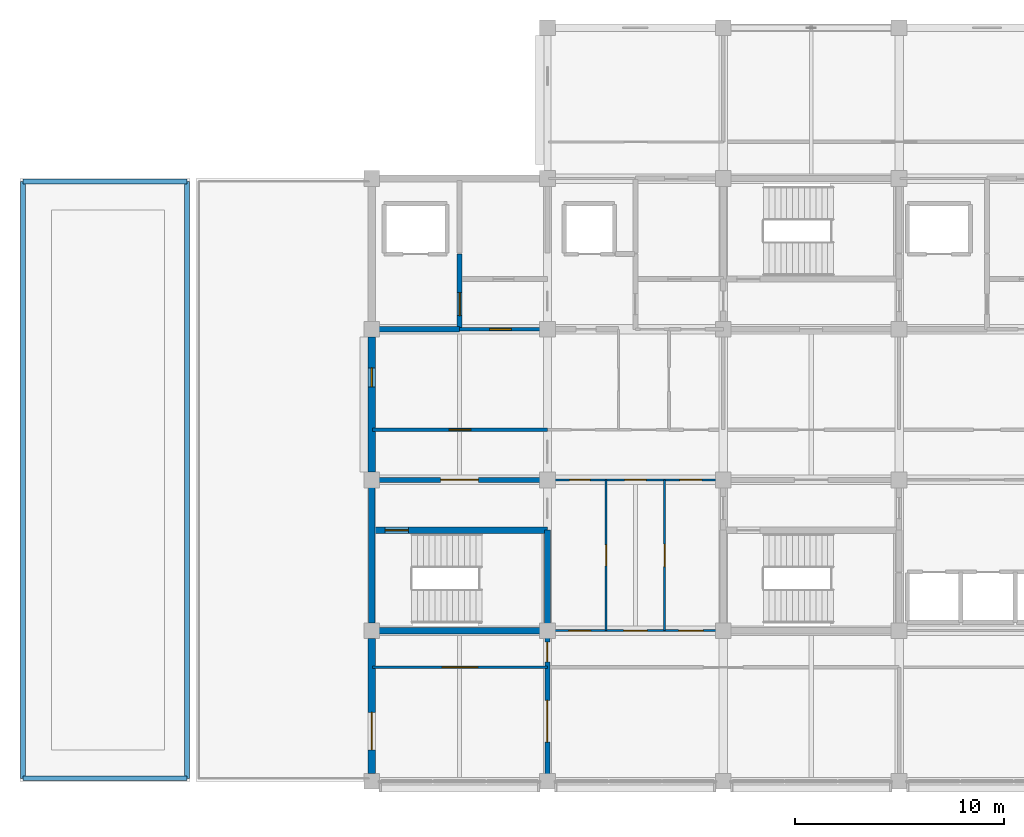
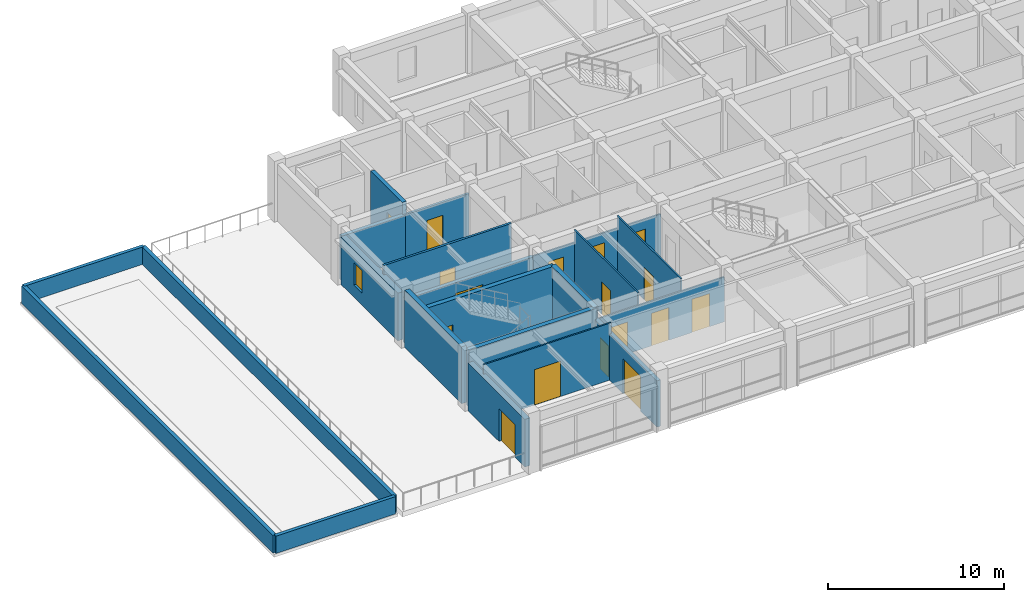
# One storey, part 14 of 27: 21 walls, 17 doors, 1 window, 18 openings.
"""IFC4 building model written with IfcOpenShell, lengths in metres."""

from ifc_helpers import new_model, si_unit, direction, frame, frame_2d, origin, place, context, subcontext, project, spatial, rectangle, extrude, material, layer, layer_set, type_object, element, fill, save


model = new_model("IFC4")

# Units and contexts
model_context = context("Model", 3, precision=1e-05, world=origin(), true_north=direction((0.0, 1.0)))
body_context = subcontext(model_context, "Body", "Model", "MODEL_VIEW")
ifc_project = project(units=[si_unit("LENGTHUNIT", "METRE"), si_unit("AREAUNIT", "SQUARE_METRE"), si_unit("VOLUMEUNIT", "CUBIC_METRE"), si_unit("PLANEANGLEUNIT", "RADIAN"), si_unit("MASSUNIT", "GRAM", prefix="KILO")], contexts=[model_context])

# Site, building, storey
site_placement = place(None, origin())
site = spatial("IfcSite", under=ifc_project, at=site_placement, CompositionType="ELEMENT")
building_placement = place(site_placement, origin())
building = spatial("IfcBuilding", under=site, at=building_placement, Name="Chengyuan Square Courthouse", CompositionType="ELEMENT")
storey_placement = place(building_placement, frame((0.0, 0.0, 35.10009765625)))
storey = spatial("IfcBuildingStorey", under=building, at=storey_placement, Name="L08", CompositionType="ELEMENT", Elevation=35.10009765625)

# Wall, opening, door
ifc_material_1 = material(Name="Concrete C40", Category="concrete")
ifc_layer_1 = layer(ifc_material_1, 0.35009765625)
ifc_layer_set_1 = layer_set([ifc_layer_1], Name="Concrete C40")
wall_type_1 = type_object("IfcWallType", Name="WL-EW2", PredefinedType="STANDARD", material=ifc_layer_set_1)
wall_1_placement = place(storey_placement, frame((42.0, 79.570068359375, 0.0), z_axis=(0.0, 0.0, 1.0), x_axis=(0.0, 1.0, 0.0)))
wall_1 = element("IfcWall", 1, at=wall_1_placement, inside=storey, type_object=wall_type_1, Name="Exterior Wall WL-L08-E395", PredefinedType="STANDARD", context=body_context, shape_type="SweptSolid", body=[
    extrude(rectangle(XDim=6.4599609375, YDim=0.35009765625, at=frame_2d((3.22998046875, 0.0))), origin(), (0.0, 0.0, 1.0), 3.2998046875),
])
opening_1_placement = place(wall_1_placement, frame((1.1298828125, 0.0, 0.0)))
opening_1 = element("IfcOpeningElement", 2, at=opening_1_placement, cuts=wall_1, Name="Opening DR-006", PredefinedType="OPENING", context=body_context, shape_type="SweptSolid", body=[
    extrude(rectangle(XDim=1.800048828125, YDim=2.25, at=frame_2d((0.89990234375, 1.125))), frame((0.0, 0.18701171875, 0.0), z_axis=(0.0, -1.0, 0.0), x_axis=(1.0, 0.0, 0.0)), (0.0, 0.0, 1.0), 0.3740234375),
])
ifc_material_2 = material(Name="Thermally Broken Aluminium Terrace Door", Category="aluminium")
door_type_1 = type_object("IfcDoorType", Name="DT-02", OperationType="DOUBLE_DOOR_SINGLE_SWING", PredefinedType="DOOR", material=ifc_material_2)
door_1_placement = place(opening_1_placement, origin())
door_1 = element("IfcDoor", 3, at=door_1_placement, inside=storey, type_object=door_type_1, Name="Planted Terrace Access Door DR-006", OperationType="DOUBLE_DOOR_SINGLE_SWING", OverallHeight=2.25, OverallWidth=1.800048828125, PredefinedType="DOOR", context=body_context, shape_type="SweptSolid", body=[
    extrude(rectangle(XDim=1.800048828125, YDim=2.25, at=frame_2d((0.89990234375, 1.125))), frame((0.0, 0.02490234375, 0.0), z_axis=(0.0, -1.0, 0.0), x_axis=(1.0, 0.0, 0.0)), (0.0, 0.0, 1.0), 0.050048828125),
])
fill(opening_1, door_1)

# Wall, opening, window
wall_2_placement = place(storey_placement, frame((42.0, 93.969970703125, 0.0), z_axis=(0.0, 0.0, 1.0), x_axis=(0.0, 1.0, 0.0)))
wall_2 = element("IfcWall", 4, at=wall_2_placement, inside=storey, type_object=wall_type_1, Name="Exterior Wall WL-L08-E397", PredefinedType="STANDARD", context=body_context, shape_type="SweptSolid", body=[
    extrude(rectangle(XDim=6.4599609375, YDim=0.35009765625, at=frame_2d((3.22998046875, 0.0))), origin(), (0.0, 0.0, 1.0), 3.2998046875),
])
opening_2_placement = place(wall_2_placement, frame((4.080078125, 0.0, 0.85009765625)))
opening_2 = element("IfcOpeningElement", 5, at=opening_2_placement, cuts=wall_2, Name="Opening WN-153", PredefinedType="OPENING", context=body_context, shape_type="SweptSolid", body=[
    extrude(rectangle(XDim=0.89990234375, YDim=1.56005859375, at=frame_2d((0.449951171875, 0.780029296875))), frame((0.0, 0.18701171875, 0.0), z_axis=(0.0, -1.0, 0.0), x_axis=(1.0, 0.0, 0.0)), (0.0, 0.0, 1.0), 0.3740234375),
])
ifc_material_3 = material(Name="Thermally Broken Aluminium Triple Low-E Window", Category="aluminium")
window_type = type_object("IfcWindowType", Name="WT-03", PartitioningType="SINGLE_PANEL", PredefinedType="WINDOW", material=ifc_material_3)
window_placement = place(opening_2_placement, origin())
window = element("IfcWindow", 6, at=window_placement, inside=storey, type_object=window_type, Name="Facade Window WN-153", OverallHeight=1.56005859375, OverallWidth=0.89990234375, PartitioningType="SINGLE_PANEL", PredefinedType="WINDOW", context=body_context, shape_type="SweptSolid", body=[
    extrude(rectangle(XDim=0.89990234375, YDim=1.56005859375, at=frame_2d((0.449951171875, 0.780029296875))), frame((0.0, 0.030029296875, 0.0), z_axis=(0.0, -1.0, 0.0), x_axis=(1.0, 0.0, 0.0)), (0.0, 0.0, 1.0), 0.06005859375),
])
fill(opening_2, window)

# Wall, opening, door
ifc_layer_2 = layer(ifc_material_1, 0.25)
ifc_layer_set_2 = layer_set([ifc_layer_2], Name="Concrete C40")
wall_type_2 = type_object("IfcWallType", Name="WL-FW1", PredefinedType="STANDARD", material=ifc_layer_set_2)
wall_3_placement = place(storey_placement, frame((42.0400390625, 93.60009765625, 0.0), z_axis=(0.0, 0.0, 1.0), x_axis=(1.0, 0.0, 0.0)))
wall_3 = element("IfcWall", 7, at=wall_3_placement, inside=storey, type_object=wall_type_2, Name="Interior Wall WL-L08-I2901", PredefinedType="STANDARD", context=body_context, shape_type="SweptSolid", body=[
    extrude(rectangle(XDim=8.35986328125, YDim=0.25, at=frame_2d((4.179931640625, 0.0))), origin(), (0.0, 0.0, 1.0), 3.099853515625),
])
opening_3_placement = place(wall_3_placement, frame((3.260009765625, 0.0, 0.0)))
opening_3 = element("IfcOpeningElement", 8, at=opening_3_placement, cuts=wall_3, Name="Opening DR-2513", PredefinedType="OPENING", context=body_context, shape_type="SweptSolid", body=[
    extrude(rectangle(XDim=1.800048828125, YDim=2.35009765625, at=frame_2d((0.89990234375, 1.175048828125))), frame((0.0, 0.136962890625, 0.0), z_axis=(0.0, -1.0, 0.0), x_axis=(1.0, 0.0, 0.0)), (0.0, 0.0, 1.0), 0.27392578125),
])
ifc_material_4 = material(Name="Steel Q235B Glazed Fire Door", Category="steel")
door_type_2 = type_object("IfcDoorType", Name="DT-18", OperationType="DOUBLE_DOOR_SINGLE_SWING", PredefinedType="DOOR", material=ifc_material_4)
door_2_placement = place(opening_3_placement, frame((1.800048828125, 0.0, 0.0), z_axis=(0.0, 0.0, 1.0), x_axis=(-1.0, 0.0, 0.0)))
door_2 = element("IfcDoor", 9, at=door_2_placement, inside=storey, type_object=door_type_2, Name="Interior Door DR-2513", OperationType="DOUBLE_DOOR_SINGLE_SWING", OverallHeight=2.35009765625, OverallWidth=1.800048828125, PredefinedType="DOOR", context=body_context, shape_type="SweptSolid", body=[
    extrude(rectangle(XDim=1.800048828125, YDim=2.35009765625, at=frame_2d((0.89990234375, 1.175048828125))), frame((0.0, 0.02490234375, 0.0), z_axis=(0.0, -1.0, 0.0), x_axis=(1.0, 0.0, 0.0)), (0.0, 0.0, 1.0), 0.050048828125),
])
fill(opening_3, door_2)

# Wall
wall_4_placement = place(storey_placement, frame((42.0400390625, 100.800048828125, 0.0), z_axis=(0.0, 0.0, 1.0), x_axis=(1.0, 0.0, 0.0)))
element("IfcWall", 10, at=wall_4_placement, inside=storey, type_object=wall_type_2, Name="Interior Wall WL-L08-I2915", PredefinedType="STANDARD", context=body_context, shape_type="SweptSolid", body=[
    extrude(rectangle(XDim=4.159912109375, YDim=0.25, at=frame_2d((2.080078125, 0.0))), origin(), (0.0, 0.0, 1.0), 3.099853515625),
])

# Wall, opening, door
wall_5_placement = place(storey_placement, frame((46.199951171875, 100.800048828125, 0.0), z_axis=(0.0, 0.0, 1.0), x_axis=(0.0, 1.0, 0.0)))
wall_5 = element("IfcWall", 11, at=wall_5_placement, inside=storey, type_object=wall_type_2, Name="Interior Wall WL-L08-I2980", PredefinedType="STANDARD", context=body_context, shape_type="SweptSolid", body=[
    extrude(rectangle(XDim=3.599853515625, YDim=0.25, at=frame_2d((1.7998046875, 0.0))), origin(), (0.0, 0.0, 1.0), 3.949951171875),
])
opening_4_placement = place(wall_5_placement, frame((0.64990234375, 0.0, 0.0)))
opening_4 = element("IfcOpeningElement", 12, at=opening_4_placement, cuts=wall_5, Name="Opening DR-2527", PredefinedType="OPENING", context=body_context, shape_type="SweptSolid", body=[
    extrude(rectangle(XDim=1.10009765625, YDim=2.199951171875, at=frame_2d((0.550048828125, 1.10009765625))), frame((0.0, 0.136962890625, 0.0), z_axis=(0.0, -1.0, 0.0), x_axis=(1.0, 0.0, 0.0)), (0.0, 0.0, 1.0), 0.27392578125),
])
ifc_material_5 = material(Name="Steel Q235B Fire Door", Category="steel")
door_type_3 = type_object("IfcDoorType", Name="DT-10", OperationType="NOTDEFINED", PredefinedType="DOOR", material=ifc_material_5)
door_3_placement = place(opening_4_placement, origin())
door_3 = element("IfcDoor", 13, at=door_3_placement, inside=storey, type_object=door_type_3, Name="Interior Door DR-2527", OperationType="SINGLE_SWING_LEFT", OverallHeight=2.199951171875, OverallWidth=1.10009765625, PredefinedType="DOOR", context=body_context, shape_type="SweptSolid", body=[
    extrude(rectangle(XDim=1.10009765625, YDim=2.199951171875, at=frame_2d((0.550048828125, 1.10009765625))), frame((0.0, 0.02490234375, 0.0), z_axis=(0.0, -1.0, 0.0), x_axis=(1.0, 0.0, 0.0)), (0.0, 0.0, 1.0), 0.050048828125),
])
fill(opening_4, door_3)

# Wall, openings, doors
wall_6_placement = place(storey_placement, frame((50.39990234375, 79.239990234375, 0.0), z_axis=(0.0, 0.0, 1.0), x_axis=(0.0, 1.0, 0.0)))
wall_6 = element("IfcWall", 14, at=wall_6_placement, inside=storey, type_object=wall_type_2, Name="Interior Wall WL-L08-I2982", PredefinedType="STANDARD", context=body_context, shape_type="SweptSolid", body=[
    extrude(rectangle(XDim=7.159912109375, YDim=0.25, at=frame_2d((3.580078125, 0.0))), origin(), (0.0, 0.0, 1.0), 3.199951171875),
])
opening_5_placement = place(wall_6_placement, frame((5.66259765625, 0.0, 0.0)))
opening_5 = element("IfcOpeningElement", 15, at=opening_5_placement, cuts=wall_6, Name="Opening DR-2622", PredefinedType="OPENING", context=body_context, shape_type="SweptSolid", body=[
    extrude(rectangle(XDim=0.949951171875, YDim=2.14990234375, at=frame_2d((0.47509765625, 1.074951171875))), frame((0.0, 0.136962890625, 0.0), z_axis=(0.0, -1.0, 0.0), x_axis=(1.0, 0.0, 0.0)), (0.0, 0.0, 1.0), 0.27392578125),
])
opening_6_placement = place(wall_6_placement, frame((1.83251953125, 0.0, 0.0)))
opening_6 = element("IfcOpeningElement", 16, at=opening_6_placement, cuts=wall_6, Name="Opening DR-2631", PredefinedType="OPENING", context=body_context, shape_type="SweptSolid", body=[
    extrude(rectangle(XDim=2.0, YDim=2.39990234375, at=frame_2d((1.0, 1.199951171875))), frame((0.0, 0.136962890625, 0.0), z_axis=(0.0, -1.0, 0.0), x_axis=(1.0, 0.0, 0.0)), (0.0, 0.0, 1.0), 0.27392578125),
])
door_type_4 = type_object("IfcDoorType", Name="DT-12", OperationType="NOTDEFINED", PredefinedType="DOOR", material=ifc_material_5)
door_4_placement = place(opening_5_placement, origin())
door_4 = element("IfcDoor", 17, at=door_4_placement, inside=storey, type_object=door_type_4, Name="Interior Door DR-2622", OperationType="SINGLE_SWING_LEFT", OverallHeight=2.14990234375, OverallWidth=0.949951171875, PredefinedType="DOOR", context=body_context, shape_type="SweptSolid", body=[
    extrude(rectangle(XDim=0.949951171875, YDim=2.14990234375, at=frame_2d((0.47509765625, 1.074951171875))), frame((0.0, 0.02490234375, 0.0), z_axis=(0.0, -1.0, 0.0), x_axis=(1.0, 0.0, 0.0)), (0.0, 0.0, 1.0), 0.050048828125),
])
fill(opening_5, door_4)
door_type_5 = type_object("IfcDoorType", Name="DT-20", OperationType="DOUBLE_DOOR_SINGLE_SWING", PredefinedType="DOOR", material=ifc_material_4)
door_5_placement = place(opening_6_placement, frame((2.0, 0.0, 0.0), z_axis=(0.0, 0.0, 1.0), x_axis=(-1.0, 0.0, 0.0)))
door_5 = element("IfcDoor", 18, at=door_5_placement, inside=storey, type_object=door_type_5, Name="Interior Door DR-2631", OperationType="DOUBLE_DOOR_SINGLE_SWING", OverallHeight=2.39990234375, OverallWidth=2.0, PredefinedType="DOOR", context=body_context, shape_type="SweptSolid", body=[
    extrude(rectangle(XDim=2.0, YDim=2.39990234375, at=frame_2d((1.0, 1.199951171875))), frame((0.0, 0.02490234375, 0.0), z_axis=(0.0, -1.0, 0.0), x_axis=(1.0, 0.0, 0.0)), (0.0, 0.0, 1.0), 0.050048828125),
])
fill(opening_6, door_5)

# Walls
ifc_layer_3 = layer(ifc_material_1, 0.219970703125)
ifc_layer_set_3 = layer_set([ifc_layer_3], Name="Concrete C40")
wall_type_3 = type_object("IfcWallType", Name="WL-PR1", PredefinedType="PARAPET", material=ifc_layer_set_3)
for number, where, z_axis, x_axis, name in (
    (19, (25.340087890625, 79.340087890625, 0.0), (0.0, 0.0, 1.0), (1.0, 0.0, 0.0), "Roof Parapet Wall PAR-L08-023"),
    (20, (33.179931640625, 107.860107421875, 0.0), (0.0, 0.0, 1.0), (-1.0, 0.0, 0.0), "Roof Parapet Wall PAR-L08-025"),
):
    element("IfcWall", number, at=place(storey_placement, frame(where, z_axis=z_axis, x_axis=x_axis)), inside=storey, type_object=wall_type_3, Name=name, PredefinedType="PARAPET", context=body_context, shape_type="SweptSolid", body=[
        extrude(rectangle(XDim=7.83984375, YDim=0.219970703125, at=frame_2d((3.919921875, 0.0))), origin(), (0.0, 0.0, 1.0), 1.199951171875),
    ])
ifc_layer_4 = layer(ifc_material_1, 0.239990234375)
ifc_layer_set_4 = layer_set([ifc_layer_4], Name="Concrete C40")
wall_type_4 = type_object("IfcWallType", Name="WL-PR2", PredefinedType="PARAPET", material=ifc_layer_set_4)
for number, where, z_axis, x_axis, name in (
    (21, (33.179931640625, 79.340087890625, 0.0), (0.0, 0.0, 1.0), (0.0, 1.0, 0.0), "Roof Parapet Wall PAR-L08-024"),
    (22, (25.340087890625, 107.860107421875, 0.0), (0.0, 0.0, 1.0), (0.0, -1.0, 0.0), "Roof Parapet Wall PAR-L08-026"),
):
    element("IfcWall", number, at=place(storey_placement, frame(where, z_axis=z_axis, x_axis=x_axis)), inside=storey, type_object=wall_type_4, Name=name, PredefinedType="PARAPET", context=body_context, shape_type="SweptSolid", body=[
        extrude(rectangle(XDim=28.52001953125, YDim=0.239990234375, at=frame_2d((14.260009765625, 0.0))), origin(), (0.0, 0.0, 1.0), 1.199951171875),
    ])

# Wall, opening, door
ifc_material_6 = material(Name="Deliberation Room Sound-Insulated Partition")
ifc_layer_5 = layer(ifc_material_6, 0.14990234375)
ifc_layer_set_5 = layer_set([ifc_layer_5], Name="Deliberation Room Sound-Insulated Partition")
wall_type_5 = type_object("IfcWallType", Name="WL-PT3", PredefinedType="STANDARD", material=ifc_layer_set_5)
wall_7_placement = place(storey_placement, frame((42.0400390625, 96.0, 0.0), z_axis=(0.0, 0.0, 1.0), x_axis=(1.0, 0.0, 0.0)))
wall_7 = element("IfcWall", 23, at=wall_7_placement, inside=storey, type_object=wall_type_5, Name="Interior Wall WL-L08-I2908", PredefinedType="STANDARD", context=body_context, shape_type="SweptSolid", body=[
    extrude(rectangle(XDim=8.35986328125, YDim=0.14990234375, at=frame_2d((4.179931640625, 0.0))), origin(), (0.0, 0.0, 1.0), 3.949951171875),
])
opening_7_placement = place(wall_7_placement, frame((3.659912109375, 0.0, 0.0)))
opening_7 = element("IfcOpeningElement", 24, at=opening_7_placement, cuts=wall_7, Name="Opening DR-2564", PredefinedType="OPENING", context=body_context, shape_type="SweptSolid", body=[
    extrude(rectangle(XDim=1.0400390625, YDim=2.199951171875, at=frame_2d((0.52001953125, 1.10009765625))), frame((0.0, 0.0869140625, 0.0), z_axis=(0.0, -1.0, 0.0), x_axis=(1.0, 0.0, 0.0)), (0.0, 0.0, 1.0), 0.173828125),
])
ifc_material_7 = material(Name="Acoustic Solid-Core Timber Door", Category="wood")
door_type_6 = type_object("IfcDoorType", Name="DT-32", OperationType="NOTDEFINED", PredefinedType="DOOR", material=ifc_material_7)
door_6_placement = place(opening_7_placement, origin())
door_6 = element("IfcDoor", 25, at=door_6_placement, inside=storey, type_object=door_type_6, Name="Interior Door DR-2564", OperationType="SINGLE_SWING_RIGHT", OverallHeight=2.199951171875, OverallWidth=1.0400390625, PredefinedType="DOOR", context=body_context, shape_type="SweptSolid", body=[
    extrude(rectangle(XDim=1.0400390625, YDim=2.199951171875, at=frame_2d((0.52001953125, 1.10009765625))), frame((0.0, 0.02490234375, 0.0), z_axis=(0.0, -1.0, 0.0), x_axis=(1.0, 0.0, 0.0)), (0.0, 0.0, 1.0), 0.050048828125),
])
fill(opening_7, door_6)

wall_8_placement = place(storey_placement, frame((46.199951171875, 100.800048828125, 0.0), z_axis=(0.0, 0.0, 1.0), x_axis=(1.0, 0.0, 0.0)))
wall_8 = element("IfcWall", 26, at=wall_8_placement, inside=storey, type_object=wall_type_5, Name="Interior Wall WL-L08-I2916", PredefinedType="STANDARD", context=body_context, shape_type="SweptSolid", body=[
    extrude(rectangle(XDim=4.199951171875, YDim=0.14990234375, at=frame_2d((2.10009765625, 0.0))), origin(), (0.0, 0.0, 1.0), 3.099853515625),
])
opening_8_placement = place(wall_8_placement, frame((1.4326171875, 0.0, 0.0)))
opening_8 = element("IfcOpeningElement", 27, at=opening_8_placement, cuts=wall_8, Name="Opening DR-2530", PredefinedType="OPENING", context=body_context, shape_type="SweptSolid", body=[
    extrude(rectangle(XDim=1.0400390625, YDim=2.199951171875, at=frame_2d((0.52001953125, 1.10009765625))), frame((0.0, 0.0869140625, 0.0), z_axis=(0.0, -1.0, 0.0), x_axis=(1.0, 0.0, 0.0)), (0.0, 0.0, 1.0), 0.173828125),
])
door_7_placement = place(opening_8_placement, origin())
door_7 = element("IfcDoor", 28, at=door_7_placement, inside=storey, type_object=door_type_6, Name="Interior Door DR-2530", OperationType="SINGLE_SWING_RIGHT", OverallHeight=2.199951171875, OverallWidth=1.0400390625, PredefinedType="DOOR", context=body_context, shape_type="SweptSolid", body=[
    extrude(rectangle(XDim=1.0400390625, YDim=2.199951171875, at=frame_2d((0.52001953125, 1.10009765625))), frame((0.0, 0.02490234375, 0.0), z_axis=(0.0, -1.0, 0.0), x_axis=(1.0, 0.0, 0.0)), (0.0, 0.0, 1.0), 0.050048828125),
])
fill(opening_8, door_7)

ifc_material_8 = material(Name="Gypsum Plasterboard Acoustic Stud Partition")
ifc_layer_6 = layer(ifc_material_8, 0.10009765625)
ifc_layer_set_6 = layer_set([ifc_layer_6], Name="Gypsum Plasterboard Acoustic Stud Partition")
wall_type_6 = type_object("IfcWallType", Name="WL-PT6", PredefinedType="STANDARD", material=ifc_layer_set_6)
wall_9_placement = place(storey_placement, frame((42.0400390625, 84.64990234375, 0.0), z_axis=(0.0, 0.0, 1.0), x_axis=(1.0, 0.0, 0.0)))
wall_9 = element("IfcWall", 29, at=wall_9_placement, inside=storey, type_object=wall_type_6, Name="Interior Wall WL-L08-I2873", PredefinedType="STANDARD", context=body_context, shape_type="SweptSolid", body=[
    extrude(rectangle(XDim=8.35986328125, YDim=0.10009765625, at=frame_2d((4.179931640625, 0.0))), origin(), (0.0, 0.0, 1.0), 3.949951171875),
])
opening_9_placement = place(wall_9_placement, frame((3.330078125, 0.0, 0.0)))
opening_9 = element("IfcOpeningElement", 30, at=opening_9_placement, cuts=wall_9, Name="Opening DR-2623", PredefinedType="OPENING", context=body_context, shape_type="SweptSolid", body=[
    extrude(rectangle(XDim=1.699951171875, YDim=2.449951171875, at=frame_2d((0.85009765625, 1.22509765625))), frame((0.0, 0.06201171875, 0.0), z_axis=(0.0, -1.0, 0.0), x_axis=(1.0, 0.0, 0.0)), (0.0, 0.0, 1.0), 0.1240234375),
])
ifc_material_9 = material(Name="Acoustic Larch Veneer Double Door")
door_type_7 = type_object("IfcDoorType", Name="DT-24", OperationType="DOUBLE_DOOR_SINGLE_SWING", PredefinedType="DOOR", material=ifc_material_9)
door_8_placement = place(opening_9_placement, frame((1.699951171875, 0.0, 0.0), z_axis=(0.0, 0.0, 1.0), x_axis=(-1.0, 0.0, 0.0)))
door_8 = element("IfcDoor", 31, at=door_8_placement, inside=storey, type_object=door_type_7, Name="Interior Door DR-2623", OperationType="DOUBLE_DOOR_SINGLE_SWING", OverallHeight=2.449951171875, OverallWidth=1.699951171875, PredefinedType="DOOR", context=body_context, shape_type="SweptSolid", body=[
    extrude(rectangle(XDim=1.699951171875, YDim=2.449951171875, at=frame_2d((0.85009765625, 1.22509765625))), frame((0.0, 0.02490234375, 0.0), z_axis=(0.0, -1.0, 0.0), x_axis=(1.0, 0.0, 0.0)), (0.0, 0.0, 1.0), 0.050048828125),
])
fill(opening_9, door_8)

# Wall, openings, doors
wall_10_placement = place(storey_placement, frame((50.39990234375, 86.39990234375, 0.0), z_axis=(0.0, 0.0, 1.0), x_axis=(1.0, 0.0, 0.0)))
wall_10 = element("IfcWall", 32, at=wall_10_placement, inside=storey, type_object=wall_type_6, Name="Interior Wall WL-L08-I2879", PredefinedType="STANDARD", context=body_context, shape_type="SweptSolid", body=[
    extrude(rectangle(XDim=8.400146484375, YDim=0.10009765625, at=frame_2d((4.2001953125, 0.0))), origin(), (0.0, 0.0, 1.0), 3.099853515625),
])
opening_10_placement = place(wall_10_placement, frame((1.027587890625, 0.0, 0.0)))
opening_10 = element("IfcOpeningElement", 33, at=opening_10_placement, cuts=wall_10, Name="Opening DR-2598", PredefinedType="OPENING", context=body_context, shape_type="SweptSolid", body=[
    extrude(rectangle(XDim=1.0400390625, YDim=2.199951171875, at=frame_2d((0.52001953125, 1.10009765625))), frame((0.0, 0.06201171875, 0.0), z_axis=(0.0, -1.0, 0.0), x_axis=(1.0, 0.0, 0.0)), (0.0, 0.0, 1.0), 0.1240234375),
])
opening_11_placement = place(wall_10_placement, frame((3.639892578125, 0.0, 0.0)))
opening_11 = element("IfcOpeningElement", 34, at=opening_11_placement, cuts=wall_10, Name="Opening DR-2600", PredefinedType="OPENING", context=body_context, shape_type="SweptSolid", body=[
    extrude(rectangle(XDim=1.1201171875, YDim=2.25, at=frame_2d((0.56005859375, 1.125))), frame((0.0, 0.06201171875, 0.0), z_axis=(0.0, -1.0, 0.0), x_axis=(1.0, 0.0, 0.0)), (0.0, 0.0, 1.0), 0.1240234375),
])
opening_12_placement = place(wall_10_placement, frame((6.2724609375, 0.0, 0.0)))
opening_12 = element("IfcOpeningElement", 35, at=opening_12_placement, cuts=wall_10, Name="Opening DR-2601", PredefinedType="OPENING", context=body_context, shape_type="SweptSolid", body=[
    extrude(rectangle(XDim=1.159912109375, YDim=2.300048828125, at=frame_2d((0.580078125, 1.14990234375))), frame((0.0, 0.06201171875, 0.0), z_axis=(0.0, -1.0, 0.0), x_axis=(1.0, 0.0, 0.0)), (0.0, 0.0, 1.0), 0.1240234375),
])
door_9_placement = place(opening_10_placement, origin())
door_9 = element("IfcDoor", 36, at=door_9_placement, inside=storey, type_object=door_type_6, Name="Interior Door DR-2598", OperationType="SINGLE_SWING_RIGHT", OverallHeight=2.199951171875, OverallWidth=1.0400390625, PredefinedType="DOOR", context=body_context, shape_type="SweptSolid", body=[
    extrude(rectangle(XDim=1.0400390625, YDim=2.199951171875, at=frame_2d((0.52001953125, 1.10009765625))), frame((0.0, 0.02490234375, 0.0), z_axis=(0.0, -1.0, 0.0), x_axis=(1.0, 0.0, 0.0)), (0.0, 0.0, 1.0), 0.050048828125),
])
fill(opening_10, door_9)
door_type_8 = type_object("IfcDoorType", Name="DT-34", OperationType="NOTDEFINED", PredefinedType="DOOR", material=ifc_material_7)
door_10_placement = place(opening_11_placement, origin())
door_10 = element("IfcDoor", 37, at=door_10_placement, inside=storey, type_object=door_type_8, Name="Interior Door DR-2600", OperationType="SINGLE_SWING_RIGHT", OverallHeight=2.25, OverallWidth=1.1201171875, PredefinedType="DOOR", context=body_context, shape_type="SweptSolid", body=[
    extrude(rectangle(XDim=1.1201171875, YDim=2.25, at=frame_2d((0.56005859375, 1.125))), frame((0.0, 0.02490234375, 0.0), z_axis=(0.0, -1.0, 0.0), x_axis=(1.0, 0.0, 0.0)), (0.0, 0.0, 1.0), 0.050048828125),
])
fill(opening_11, door_10)
door_type_9 = type_object("IfcDoorType", Name="DT-35", OperationType="NOTDEFINED", PredefinedType="DOOR", material=ifc_material_7)
door_11_placement = place(opening_12_placement, origin())
door_11 = element("IfcDoor", 38, at=door_11_placement, inside=storey, type_object=door_type_9, Name="Interior Door DR-2601", OperationType="SINGLE_SWING_LEFT", OverallHeight=2.300048828125, OverallWidth=1.159912109375, PredefinedType="DOOR", context=body_context, shape_type="SweptSolid", body=[
    extrude(rectangle(XDim=1.159912109375, YDim=2.300048828125, at=frame_2d((0.580078125, 1.14990234375))), frame((0.0, 0.02490234375, 0.0), z_axis=(0.0, -1.0, 0.0), x_axis=(1.0, 0.0, 0.0)), (0.0, 0.0, 1.0), 0.050048828125),
])
fill(opening_12, door_11)

wall_11_placement = place(storey_placement, frame((50.39990234375, 93.60009765625, 0.0), z_axis=(0.0, 0.0, 1.0), x_axis=(1.0, 0.0, 0.0)))
wall_11 = element("IfcWall", 39, at=wall_11_placement, inside=storey, type_object=wall_type_6, Name="Interior Wall WL-L08-I2902", PredefinedType="STANDARD", context=body_context, shape_type="SweptSolid", body=[
    extrude(rectangle(XDim=8.400146484375, YDim=0.10009765625, at=frame_2d((4.2001953125, 0.0))), origin(), (0.0, 0.0, 1.0), 3.099853515625),
])
opening_13_placement = place(wall_11_placement, frame((1.0576171875, 0.0, 0.0)))
opening_13 = element("IfcOpeningElement", 40, at=opening_13_placement, cuts=wall_11, Name="Opening DR-2572", PredefinedType="OPENING", context=body_context, shape_type="SweptSolid", body=[
    extrude(rectangle(XDim=0.97998046875, YDim=2.35009765625, at=frame_2d((0.489990234375, 1.175048828125))), frame((0.0, 0.06201171875, 0.0), z_axis=(0.0, -1.0, 0.0), x_axis=(1.0, 0.0, 0.0)), (0.0, 0.0, 1.0), 0.1240234375),
])
opening_14_placement = place(wall_11_placement, frame((3.68994140625, 0.0, 0.0)))
opening_14 = element("IfcOpeningElement", 41, at=opening_14_placement, cuts=wall_11, Name="Opening DR-2573", PredefinedType="OPENING", context=body_context, shape_type="SweptSolid", body=[
    extrude(rectangle(XDim=1.02001953125, YDim=2.39990234375, at=frame_2d((0.510009765625, 1.199951171875))), frame((0.0, 0.06201171875, 0.0), z_axis=(0.0, -1.0, 0.0), x_axis=(1.0, 0.0, 0.0)), (0.0, 0.0, 1.0), 0.1240234375),
])
opening_15_placement = place(wall_11_placement, frame((6.322509765625, 0.0, 0.0)))
opening_15 = element("IfcOpeningElement", 42, at=opening_15_placement, cuts=wall_11, Name="Opening DR-2574", PredefinedType="OPENING", context=body_context, shape_type="SweptSolid", body=[
    extrude(rectangle(XDim=1.06005859375, YDim=2.39990234375, at=frame_2d((0.530029296875, 1.199951171875))), frame((0.0, 0.06201171875, 0.0), z_axis=(0.0, -1.0, 0.0), x_axis=(1.0, 0.0, 0.0)), (0.0, 0.0, 1.0), 0.1240234375),
])
door_type_10 = type_object("IfcDoorType", Name="DT-40", OperationType="NOTDEFINED", PredefinedType="DOOR", material=ifc_material_7)
door_12_placement = place(opening_13_placement, origin())
door_12 = element("IfcDoor", 43, at=door_12_placement, inside=storey, type_object=door_type_10, Name="Interior Door DR-2572", OperationType="SINGLE_SWING_RIGHT", OverallHeight=2.35009765625, OverallWidth=0.97998046875, PredefinedType="DOOR", context=body_context, shape_type="SweptSolid", body=[
    extrude(rectangle(XDim=0.97998046875, YDim=2.35009765625, at=frame_2d((0.489990234375, 1.175048828125))), frame((0.0, 0.02490234375, 0.0), z_axis=(0.0, -1.0, 0.0), x_axis=(1.0, 0.0, 0.0)), (0.0, 0.0, 1.0), 0.050048828125),
])
fill(opening_13, door_12)
door_type_11 = type_object("IfcDoorType", Name="DT-41", OperationType="NOTDEFINED", PredefinedType="DOOR", material=ifc_material_7)
door_13_placement = place(opening_14_placement, origin())
door_13 = element("IfcDoor", 44, at=door_13_placement, inside=storey, type_object=door_type_11, Name="Interior Door DR-2573", OperationType="SINGLE_SWING_LEFT", OverallHeight=2.39990234375, OverallWidth=1.02001953125, PredefinedType="DOOR", context=body_context, shape_type="SweptSolid", body=[
    extrude(rectangle(XDim=1.02001953125, YDim=2.39990234375, at=frame_2d((0.510009765625, 1.199951171875))), frame((0.0, 0.02490234375, 0.0), z_axis=(0.0, -1.0, 0.0), x_axis=(1.0, 0.0, 0.0)), (0.0, 0.0, 1.0), 0.050048828125),
])
fill(opening_14, door_13)
door_type_12 = type_object("IfcDoorType", Name="DT-42", OperationType="NOTDEFINED", PredefinedType="DOOR", material=ifc_material_7)
door_14_placement = place(opening_15_placement, origin())
door_14 = element("IfcDoor", 45, at=door_14_placement, inside=storey, type_object=door_type_12, Name="Interior Door DR-2574", OperationType="SINGLE_SWING_RIGHT", OverallHeight=2.39990234375, OverallWidth=1.06005859375, PredefinedType="DOOR", context=body_context, shape_type="SweptSolid", body=[
    extrude(rectangle(XDim=1.06005859375, YDim=2.39990234375, at=frame_2d((0.530029296875, 1.199951171875))), frame((0.0, 0.02490234375, 0.0), z_axis=(0.0, -1.0, 0.0), x_axis=(1.0, 0.0, 0.0)), (0.0, 0.0, 1.0), 0.050048828125),
])
fill(opening_15, door_14)

# Wall, opening, door
wall_12_placement = place(storey_placement, frame((53.199951171875, 86.39990234375, 0.0), z_axis=(0.0, 0.0, 1.0), x_axis=(0.0, 1.0, 0.0)))
wall_12 = element("IfcWall", 46, at=wall_12_placement, inside=storey, type_object=wall_type_6, Name="Interior Wall WL-L08-I2987", PredefinedType="STANDARD", context=body_context, shape_type="SweptSolid", body=[
    extrude(rectangle(XDim=7.2001953125, YDim=0.10009765625, at=frame_2d((3.60009765625, 0.0))), origin(), (0.0, 0.0, 1.0), 3.949951171875),
])
opening_16_placement = place(wall_12_placement, frame((3.10009765625, 0.0, 0.0)))
opening_16 = element("IfcOpeningElement", 47, at=opening_16_placement, cuts=wall_12, Name="Opening DR-2597", PredefinedType="OPENING", context=body_context, shape_type="SweptSolid", body=[
    extrude(rectangle(XDim=1.0, YDim=2.25, at=frame_2d((0.5, 1.125))), frame((0.0, 0.06201171875, 0.0), z_axis=(0.0, -1.0, 0.0), x_axis=(1.0, 0.0, 0.0)), (0.0, 0.0, 1.0), 0.1240234375),
])
door_type_13 = type_object("IfcDoorType", Name="DT-31", OperationType="NOTDEFINED", PredefinedType="DOOR", material=ifc_material_7)
door_15_placement = place(opening_16_placement, origin())
door_15 = element("IfcDoor", 48, at=door_15_placement, inside=storey, type_object=door_type_13, Name="Interior Door DR-2597", OperationType="SINGLE_SWING_LEFT", OverallHeight=2.25, OverallWidth=1.0, PredefinedType="DOOR", context=body_context, shape_type="SweptSolid", body=[
    extrude(rectangle(XDim=1.0, YDim=2.25, at=frame_2d((0.5, 1.125))), frame((0.0, 0.02490234375, 0.0), z_axis=(0.0, -1.0, 0.0), x_axis=(1.0, 0.0, 0.0)), (0.0, 0.0, 1.0), 0.050048828125),
])
fill(opening_16, door_15)

wall_13_placement = place(storey_placement, frame((56.0, 86.39990234375, 0.0), z_axis=(0.0, 0.0, 1.0), x_axis=(0.0, 1.0, 0.0)))
wall_13 = element("IfcWall", 49, at=wall_13_placement, inside=storey, type_object=wall_type_6, Name="Interior Wall WL-L08-I2992", PredefinedType="STANDARD", context=body_context, shape_type="SweptSolid", body=[
    extrude(rectangle(XDim=7.2001953125, YDim=0.10009765625, at=frame_2d((3.60009765625, 0.0))), origin(), (0.0, 0.0, 1.0), 3.949951171875),
])
opening_17_placement = place(wall_13_placement, frame((3.06005859375, 0.0, 0.0)))
opening_17 = element("IfcOpeningElement", 50, at=opening_17_placement, cuts=wall_13, Name="Opening DR-2599", PredefinedType="OPENING", context=body_context, shape_type="SweptSolid", body=[
    extrude(rectangle(XDim=1.080078125, YDim=2.25, at=frame_2d((0.5400390625, 1.125))), frame((0.0, 0.06201171875, 0.0), z_axis=(0.0, -1.0, 0.0), x_axis=(1.0, 0.0, 0.0)), (0.0, 0.0, 1.0), 0.1240234375),
])
door_type_14 = type_object("IfcDoorType", Name="DT-33", OperationType="NOTDEFINED", PredefinedType="DOOR", material=ifc_material_7)
door_16_placement = place(opening_17_placement, origin())
door_16 = element("IfcDoor", 51, at=door_16_placement, inside=storey, type_object=door_type_14, Name="Interior Door DR-2599", OperationType="SINGLE_SWING_LEFT", OverallHeight=2.25, OverallWidth=1.080078125, PredefinedType="DOOR", context=body_context, shape_type="SweptSolid", body=[
    extrude(rectangle(XDim=1.080078125, YDim=2.25, at=frame_2d((0.5400390625, 1.125))), frame((0.0, 0.02490234375, 0.0), z_axis=(0.0, -1.0, 0.0), x_axis=(1.0, 0.0, 0.0)), (0.0, 0.0, 1.0), 0.050048828125),
])
fill(opening_17, door_16)

# Walls
ifc_layer_7 = layer(ifc_material_1, 0.300048828125)
ifc_layer_set_7 = layer_set([ifc_layer_7], Name="Concrete C40")
wall_type_7 = type_object("IfcWallType", Name="WL-SW2", PredefinedType="SHEAR", material=ifc_layer_set_7)
wall_14_placement = place(storey_placement, frame((42.0, 86.77001953125, 0.0), z_axis=(0.0, 0.0, 1.0), x_axis=(0.0, 1.0, 0.0)))
element("IfcWall", 52, at=wall_14_placement, inside=storey, type_object=wall_type_7, Name="Exterior Wall WL-L08-E396", PredefinedType="SHEAR", context=body_context, shape_type="SweptSolid", body=[
    extrude(rectangle(XDim=6.4599609375, YDim=0.300048828125, at=frame_2d((3.22998046875, 0.0))), origin(), (0.0, 0.0, 1.0), 3.949951171875),
])
wall_15_placement = place(storey_placement, frame((42.0400390625, 86.39990234375, 0.0), z_axis=(0.0, 0.0, 1.0), x_axis=(1.0, 0.0, 0.0)))
element("IfcWall", 53, at=wall_15_placement, inside=storey, type_object=wall_type_7, Name="Interior Wall WL-L08-I2878", PredefinedType="SHEAR", context=body_context, shape_type="SweptSolid", body=[
    extrude(rectangle(XDim=8.35986328125, YDim=0.300048828125, at=frame_2d((4.179931640625, 0.0))), origin(), (0.0, 0.0, 1.0), 3.949951171875),
])

# Wall, opening, door
wall_16_placement = place(storey_placement, frame((42.0400390625, 91.199951171875, 0.0), z_axis=(0.0, 0.0, 1.0), x_axis=(1.0, 0.0, 0.0)))
wall_16 = element("IfcWall", 54, at=wall_16_placement, inside=storey, type_object=wall_type_7, Name="Interior Wall WL-L08-I2896", PredefinedType="SHEAR", context=body_context, shape_type="SweptSolid", body=[
    extrude(rectangle(XDim=8.35986328125, YDim=0.300048828125, at=frame_2d((4.179931640625, 0.0))), origin(), (0.0, 0.0, 1.0), 3.949951171875),
])
opening_18_placement = place(wall_16_placement, frame((0.610107421875, 0.0, 0.0)))
opening_18 = element("IfcOpeningElement", 55, at=opening_18_placement, cuts=wall_16, Name="Opening DR-2499", PredefinedType="OPENING", context=body_context, shape_type="SweptSolid", body=[
    extrude(rectangle(XDim=1.10009765625, YDim=2.199951171875, at=frame_2d((0.550048828125, 1.10009765625))), frame((0.0, 0.162109375, 0.0), z_axis=(0.0, -1.0, 0.0), x_axis=(1.0, 0.0, 0.0)), (0.0, 0.0, 1.0), 0.323974609375),
])
door_17_placement = place(opening_18_placement, frame((1.10009765625, 0.0, 0.0), z_axis=(0.0, 0.0, 1.0), x_axis=(-1.0, 0.0, 0.0)))
door_17 = element("IfcDoor", 56, at=door_17_placement, inside=storey, type_object=door_type_3, Name="Smoke-Proof Stairwell Fire Door ST-5 DR-2499", OperationType="SINGLE_SWING_LEFT", OverallHeight=2.199951171875, OverallWidth=1.10009765625, PredefinedType="DOOR", context=body_context, shape_type="SweptSolid", body=[
    extrude(rectangle(XDim=1.10009765625, YDim=2.199951171875, at=frame_2d((0.550048828125, 1.10009765625))), frame((0.0, 0.02490234375, 0.0), z_axis=(0.0, -1.0, 0.0), x_axis=(1.0, 0.0, 0.0)), (0.0, 0.0, 1.0), 0.050048828125),
])
fill(opening_18, door_17)

# Wall
wall_17_placement = place(storey_placement, frame((50.39990234375, 86.39990234375, 0.0), z_axis=(0.0, 0.0, 1.0), x_axis=(0.0, 1.0, 0.0)))
element("IfcWall", 57, at=wall_17_placement, inside=storey, type_object=wall_type_7, Name="Interior Wall WL-L08-I2983", PredefinedType="SHEAR", context=body_context, shape_type="SweptSolid", body=[
    extrude(rectangle(XDim=4.800048828125, YDim=0.300048828125, at=frame_2d((2.39990234375, 0.0))), origin(), (0.0, 0.0, 1.0), 3.949951171875),
])

save(model, "model.ifc")
